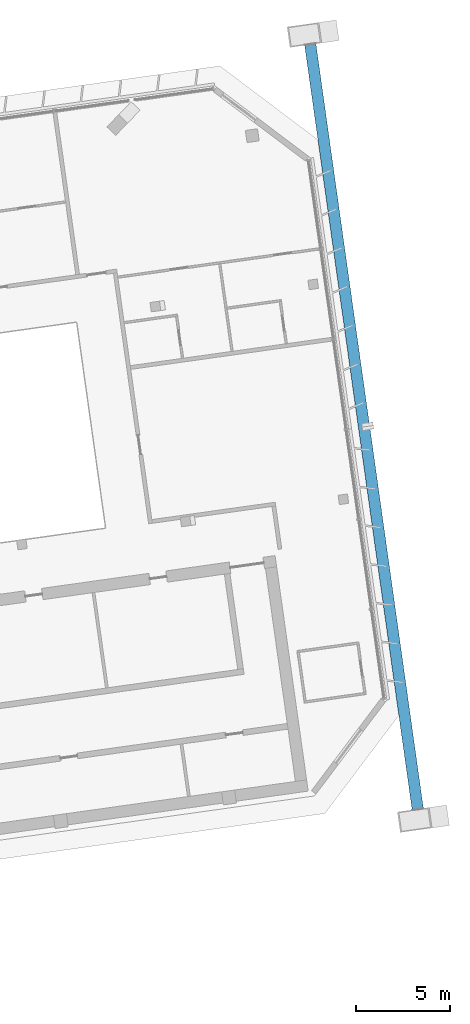
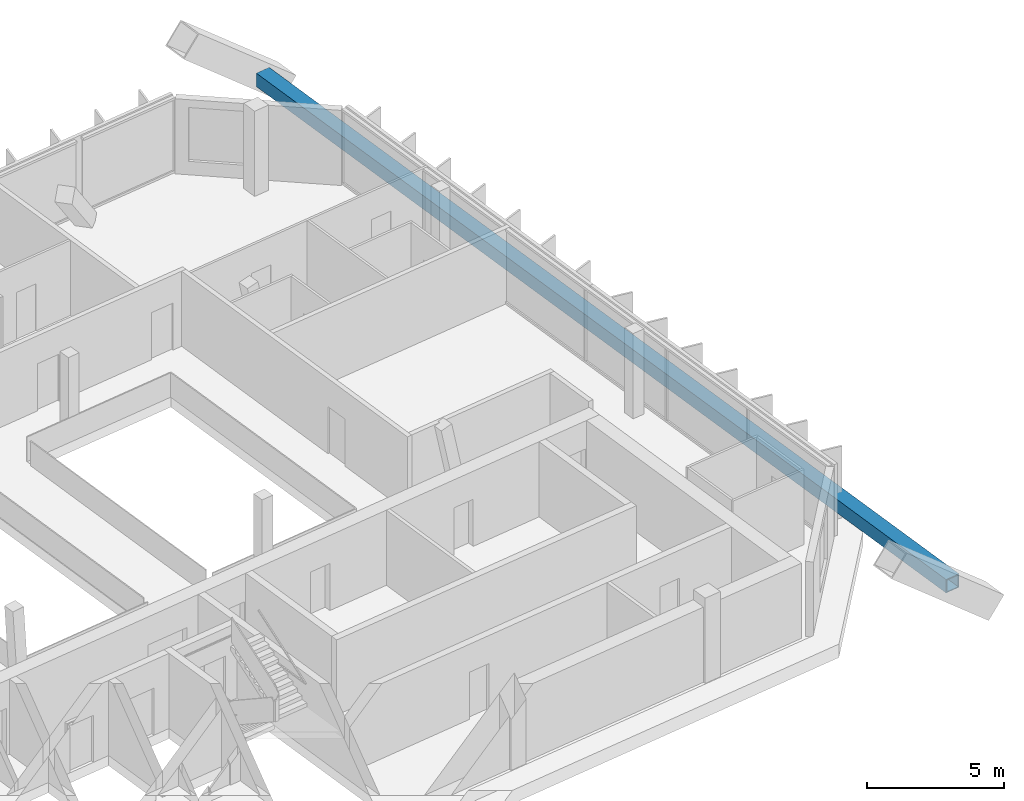
# One storey, part 12 of 26: 1 member.
"""IFC4 building model written with IfcOpenShell, lengths in metres."""

from ifc_helpers import new_model, si_unit, direction, frame, origin, origin_2d, place, context, subcontext, project, spatial, hollow_rectangle, extrude, material, material_profile, profile_set, type_object, element, save


model = new_model("IFC4")

# Units and contexts
model_context = context("Model", 3, precision=1e-05, world=origin(), true_north=direction((0.0, 1.0)))
body_context = subcontext(model_context, "Body", "Model", "MODEL_VIEW")
ifc_project = project(units=[si_unit("LENGTHUNIT", "METRE"), si_unit("AREAUNIT", "SQUARE_METRE"), si_unit("VOLUMEUNIT", "CUBIC_METRE"), si_unit("PLANEANGLEUNIT", "RADIAN"), si_unit("MASSUNIT", "GRAM", prefix="KILO")], contexts=[model_context])

# Site, building, storey
site_placement = place(None, origin())
site = spatial("IfcSite", under=ifc_project, at=site_placement, CompositionType="ELEMENT")
building_placement = place(site_placement, origin())
building = spatial("IfcBuilding", under=site, at=building_placement, Name="Mirante Cascada Hotel Towers", CompositionType="ELEMENT")
storey_placement = place(building_placement, frame((0.0, 0.0, 228.0)))
storey = spatial("IfcBuildingStorey", under=building, at=storey_placement, Name="L54", CompositionType="ELEMENT", Elevation=228.0)

# Member
ifc_material = material(Name="Steel ASTM A572 Gr 50", Category="steel")
ifc_material_profile = material_profile(ifc_material, hollow_rectangle(XDim=0.6, YDim=0.6, WallThickness=0.04, at=origin_2d()), Name="Box chord 600x600x40 ASTM A572 Gr 50")
ifc_profile_set = profile_set([ifc_material_profile], Name="Steel ASTM A572 Gr 50")
member_type = type_object("IfcMemberType", Name="Box chord 600x600x40 ASTM A572 Gr 50", PredefinedType="CHORD", material=ifc_profile_set)
member_placement = place(storey_placement, frame((78.2188, -15.8945, 1.0), z_axis=(-0.1391743, 0.9902679, 0.0), x_axis=(-0.9902679, -0.1391743, 0.0)))
element("IfcMember", 1, at=member_placement, inside=storey, type_object=member_type, Name="exochord T2 L54 1", PredefinedType="CHORD", context=body_context, shape_type="SweptSolid", body=[
    extrude(hollow_rectangle(XDim=0.6, YDim=0.6, WallThickness=0.04, at=origin_2d()), origin(), (0.0, 0.0, 1.0), 40.94),
])

save(model, "model.ifc")
